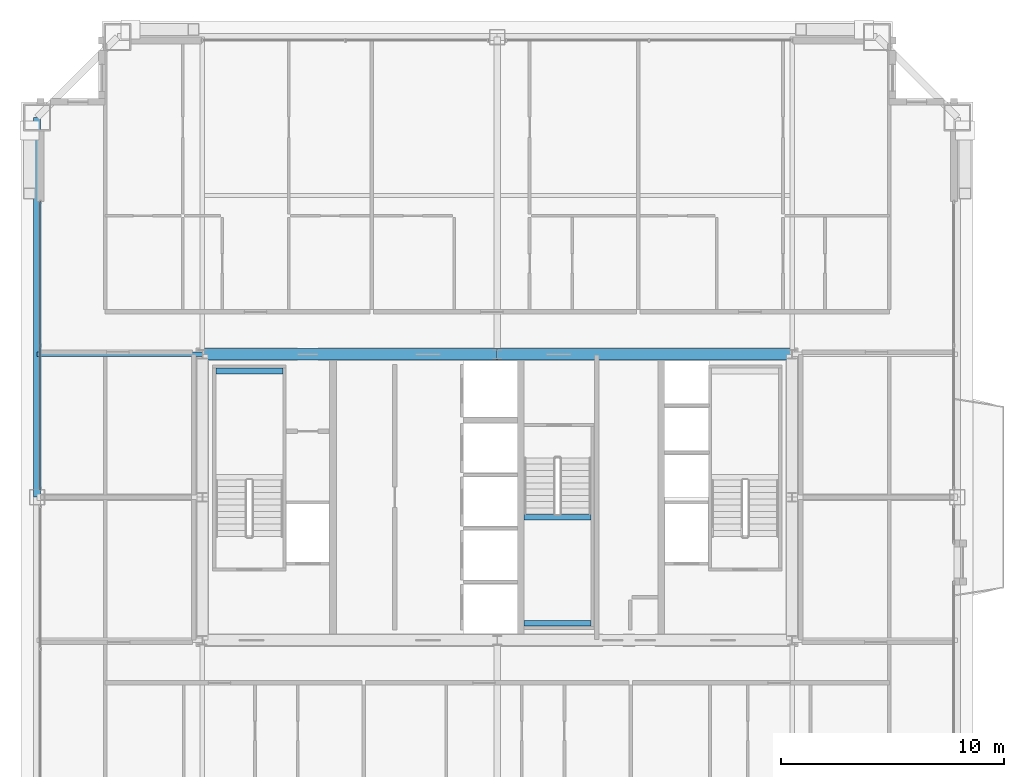
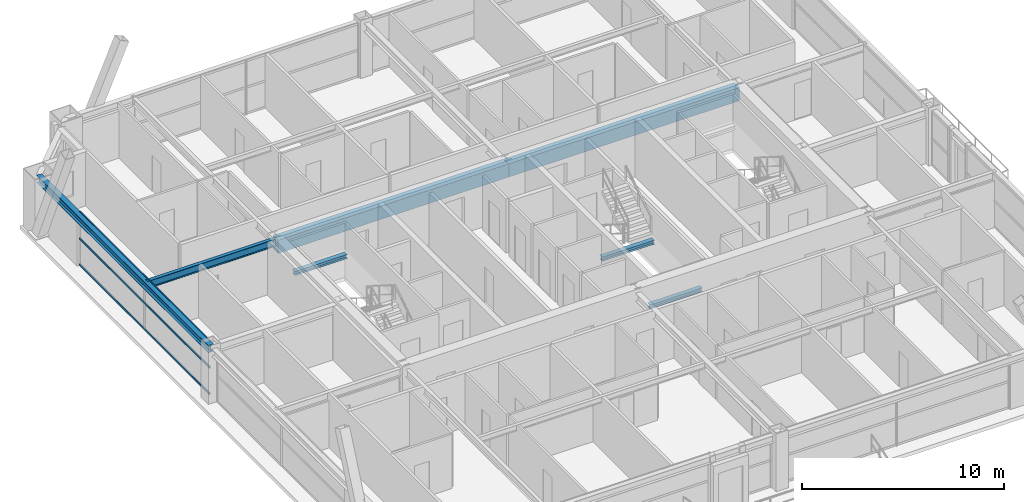
# One storey, part 12 of 35: 7 beams, 3 members, 1 element without a shape of its own.
"""IFC4 building model written with IfcOpenShell, lengths in metres."""

from ifc_helpers import new_model, si_unit, direction, frame, origin, origin_2d, place, context, subcontext, project, spatial, rectangle, hollow_rectangle, i_section, extrude, source, transform, mapped, material, layer, layer_set, material_profile, profile_set, type_object, element, aggregate, save


model = new_model("IFC4")

# Units and contexts
model_context = context("Model", 3, precision=1e-05, world=origin(), true_north=direction((0.0, 1.0)))
body_context = subcontext(model_context, "Body", "Model", "MODEL_VIEW")
ifc_project = project(units=[si_unit("LENGTHUNIT", "METRE"), si_unit("AREAUNIT", "SQUARE_METRE"), si_unit("VOLUMEUNIT", "CUBIC_METRE"), si_unit("PLANEANGLEUNIT", "RADIAN"), si_unit("MASSUNIT", "GRAM", prefix="KILO"), si_unit("THERMODYNAMICTEMPERATUREUNIT", "KELVIN"), si_unit("POWERUNIT", "WATT")], contexts=[model_context])

# Site, building, storey
site_placement = place(None, origin())
site = spatial("IfcSite", under=ifc_project, at=site_placement, CompositionType="ELEMENT")
building_placement = place(site_placement, origin())
building = spatial("IfcBuilding", under=site, at=building_placement, Name="Yuzanri Waterfront Tower", CompositionType="ELEMENT")
storey_placement = place(building_placement, frame((0.0, 0.0, 248.60009765625)))
storey = spatial("IfcBuildingStorey", under=building, at=storey_placement, Name="L66", CompositionType="ELEMENT", Elevation=248.60009765625)

# Beams
ifc_material_1 = material(Name="Concrete C50", Category="concrete")
ifc_material_profile_1 = material_profile(ifc_material_1, rectangle(XDim=0.5, YDim=0.800048828125, at=origin_2d()), Name="RC 500x800")
ifc_profile_set_1 = profile_set([ifc_material_profile_1], Name="Concrete C50")
beam_type_1 = type_object("IfcBeamType", Name="Core Coupling Lintel Concrete C50 500x800", PredefinedType="LINTEL", material=ifc_profile_set_1)
shared_shape_1 = source(origin(), body_context, "Body", "SweptSolid", [
    extrude(rectangle(XDim=0.5, YDim=0.800048828125, at=origin_2d()), origin(), (0.0, 0.0, 1.0), 13.199951171875),
])
for number, where, z_axis, x_axis, name in (
    (1, (23.800048828125, 32.199951171875, 2.8798828125), (1.0, 0.0, 0.0), (0.0, 1.0, 0.0), "L66 Core Tie Beam CN1"),
    (2, (37.0, 32.199951171875, 2.8798828125), (1.0, 0.0, 0.0), (0.0, 1.0, 0.0), "L66 Core Tie Beam CN2"),
):
    element("IfcBeam", number, at=place(storey_placement, frame(where, z_axis=z_axis, x_axis=x_axis)), inside=storey, type_object=beam_type_1, Name=name, PredefinedType="LINTEL", context=body_context, shape_type="MappedRepresentation", body=[
        mapped(shared_shape_1, transform((0.0, 0.0, 0.0), scale=1.0)),
    ])
ifc_material_2 = material(Name="Steel Q355B", Category="steel")
ifc_material_profile_2 = material_profile(ifc_material_2, i_section(OverallWidth=0.300048828125, OverallDepth=0.43994140625, WebThickness=0.010986328125, FlangeThickness=0.01806640625, at=origin_2d()), Name="HM 440x300x11x18")
ifc_profile_set_2 = profile_set([ifc_material_profile_2], Name="Steel Q355B")
beam_type_2 = type_object("IfcBeamType", Name="Perimeter Spandrel Q355B HM 440x300", PredefinedType="SPANDREL", material=ifc_profile_set_2)
shared_shape_2 = source(origin(), body_context, "Body", "SweptSolid", [
    extrude(i_section(OverallWidth=0.300048828125, OverallDepth=0.43994140625, WebThickness=0.010986328125, FlangeThickness=0.01806640625, at=origin_2d()), origin(), (0.0, 0.0, 1.0), 17.0),
])
beam_1_placement = place(storey_placement, frame((16.39990234375, 42.800048828125, 3.059814453125), z_axis=(0.0, -1.0, 0.0), x_axis=(1.0, 0.0, 0.0)))
element("IfcBeam", 3, at=beam_1_placement, inside=storey, type_object=beam_type_2, Name="L66 Perimeter Spandrel W3-W2", PredefinedType="SPANDREL", context=body_context, shape_type="MappedRepresentation", body=[
    mapped(shared_shape_2, transform((0.0, 0.0, 0.0), scale=1.0)),
])
ifc_material_3 = material(Name="Steel Q355B", Category="steel")
ifc_material_profile_3 = material_profile(ifc_material_3, i_section(OverallWidth=0.199951171875, OverallDepth=0.449951171875, WebThickness=0.009033203125, FlangeThickness=0.013916015625, at=origin_2d()), Name="HN 450x200x9x14")
ifc_profile_set_3 = profile_set([ifc_material_profile_3], Name="Steel Q355B")
beam_type_3 = type_object("IfcBeamType", Name="Secondary Floor Beam Q355B HN 450x200", PredefinedType="BEAM", material=ifc_profile_set_3)
shared_shape_3 = source(origin(), body_context, "Body", "SweptSolid", [
    extrude(i_section(OverallWidth=0.199951171875, OverallDepth=0.449951171875, WebThickness=0.009033203125, FlangeThickness=0.013916015625, at=origin_2d()), origin(), (0.0, 0.0, 1.0), 7.400146484375),
])
beam_2_placement = place(storey_placement, frame((23.800048828125, 32.199951171875, 3.054931640625), z_axis=(-1.0, 0.0, 0.0), x_axis=(0.0, -1.0, 0.0)))
element("IfcBeam", 4, at=beam_2_placement, inside=storey, type_object=beam_type_3, Name="L66 West-North Core Line Beam", PredefinedType="BEAM", context=body_context, shape_type="MappedRepresentation", body=[
    mapped(shared_shape_3, transform((0.0, 0.0, 0.0), scale=1.0)),
])

# Curtain wall, members
ifc_material_4 = material(Name="Anodized Architectural Bronze", Category="metal")
ifc_layer = layer(ifc_material_4, 0.159912109375)
ifc_layer_set = layer_set([ifc_layer], Name="Anodized Architectural Bronze")
curtain_wall_type = type_object("IfcCurtainWallType", Name="Anodized Bronze Mid-Rise Residential Acoustic Unitized Curtain Wall 7200", PredefinedType="NOTDEFINED", material=ifc_layer_set)
curtain_wall_placement = place(storey_placement, origin())
curtain_wall = element("IfcCurtainWall", 5, at=curtain_wall_placement, inside=storey, type_object=curtain_wall_type, Name="L66 Curtain Wall CW-L66-WR", PredefinedType="NOTDEFINED")
ifc_material_5 = material(Name="Anodized Architectural Bronze", Category="metal")
ifc_material_profile_4 = material_profile(ifc_material_5, hollow_rectangle(XDim=0.06494140625, YDim=0.1201171875, WallThickness=0.00341796875, at=origin_2d()), Name="CWT 65x120")
ifc_profile_set_4 = profile_set([ifc_material_profile_4], Name="Anodized Architectural Bronze")
member_type = type_object("IfcMemberType", Name="Anodized Bronze Secondary Curtain-Wall Transom 65x120", PredefinedType="USERDEFINED", material=ifc_profile_set_4)
shared_shape_4 = source(origin(), body_context, "Body", "SweptSolid", [
    extrude(hollow_rectangle(XDim=0.06494140625, YDim=0.1201171875, WallThickness=0.00341796875, at=origin_2d()), origin(), (0.0, 0.0, 1.0), 12.900146484375),
])
member_1_placement = place(storey_placement, frame((16.550048828125, 26.14990234375, 0.0498046875), z_axis=(0.0, 1.0, 0.0), x_axis=(-1.0, 0.0, 0.0)))
member_1 = element("IfcMember", 6, at=member_1_placement, type_object=member_type, Name="CW-L66-WR Transom 1", ObjectType="TRANSOM", PredefinedType="USERDEFINED", context=body_context, shape_type="MappedRepresentation", body=[
    mapped(shared_shape_4, transform((0.0, 0.0, 0.0), scale=1.0)),
])
member_2_placement = place(storey_placement, frame((16.550048828125, 26.14990234375, 1.639892578125), z_axis=(0.0, 1.0, 0.0), x_axis=(-1.0, 0.0, 0.0)))
member_2 = element("IfcMember", 7, at=member_2_placement, type_object=member_type, Name="CW-L66-WR Transom 2", ObjectType="TRANSOM", PredefinedType="USERDEFINED", context=body_context, shape_type="MappedRepresentation", body=[
    mapped(shared_shape_4, transform((0.0, 0.0, 0.0), scale=1.0)),
])
member_3_placement = place(storey_placement, frame((16.550048828125, 26.14990234375, 3.22998046875), z_axis=(0.0, 1.0, 0.0), x_axis=(-1.0, 0.0, 0.0)))
member_3 = element("IfcMember", 8, at=member_3_placement, type_object=member_type, Name="CW-L66-WR Transom 3", ObjectType="TRANSOM", PredefinedType="USERDEFINED", context=body_context, shape_type="MappedRepresentation", body=[
    mapped(shared_shape_4, transform((0.0, 0.0, 0.0), scale=1.0)),
])
aggregate(curtain_wall, [member_1, member_2, member_3])

# Beams
ifc_material_6 = material(Name="Steel Q355B", Category="steel")
ifc_material_profile_5 = material_profile(ifc_material_6, i_section(OverallWidth=0.25, OverallDepth=0.25, WebThickness=0.009033203125, FlangeThickness=0.013916015625, at=origin_2d()), Name="HW 250x250x9x14")
ifc_profile_set_5 = profile_set([ifc_material_profile_5], Name="Steel Q355B")
beam_type_4 = type_object("IfcBeamType", Name="Stair Landing Support Beam Q355B HW 250x250", PredefinedType="BEAM", material=ifc_profile_set_5)
shared_shape_5 = source(origin(), body_context, "Body", "SweptSolid", [
    extrude(i_section(OverallWidth=0.25, OverallDepth=0.25, WebThickness=0.009033203125, FlangeThickness=0.013916015625, at=origin_2d()), origin(), (0.0, 0.0, 1.0), 3.0),
])
for number, where, z_axis, x_axis, name in (
    (9, (24.39990234375, 31.449951171875, 1.4248046875), (1.0, 0.0, 0.0), (0.0, 1.0, 0.0), "L66 Stair Landing Support Beam ST-01-L66-L1-2"),
    (10, (38.199951171875, 20.14990234375, 1.4248046875), (1.0, 0.0, 0.0), (0.0, 1.0, 0.0), "L66 Stair Landing Support Beam ST-03-L66-L1-1"),
    (11, (38.199951171875, 24.909912109375, 1.4248046875), (1.0, 0.0, 0.0), (0.0, 1.0, 0.0), "L66 Stair Landing Support Beam ST-03-L66-L1-2"),
):
    element("IfcBeam", number, at=place(storey_placement, frame(where, z_axis=z_axis, x_axis=x_axis)), inside=storey, type_object=beam_type_4, Name=name, PredefinedType="BEAM", context=body_context, shape_type="MappedRepresentation", body=[
        mapped(shared_shape_5, transform((0.0, 0.0, 0.0), scale=1.0)),
    ])

save(model, "model.ifc")
